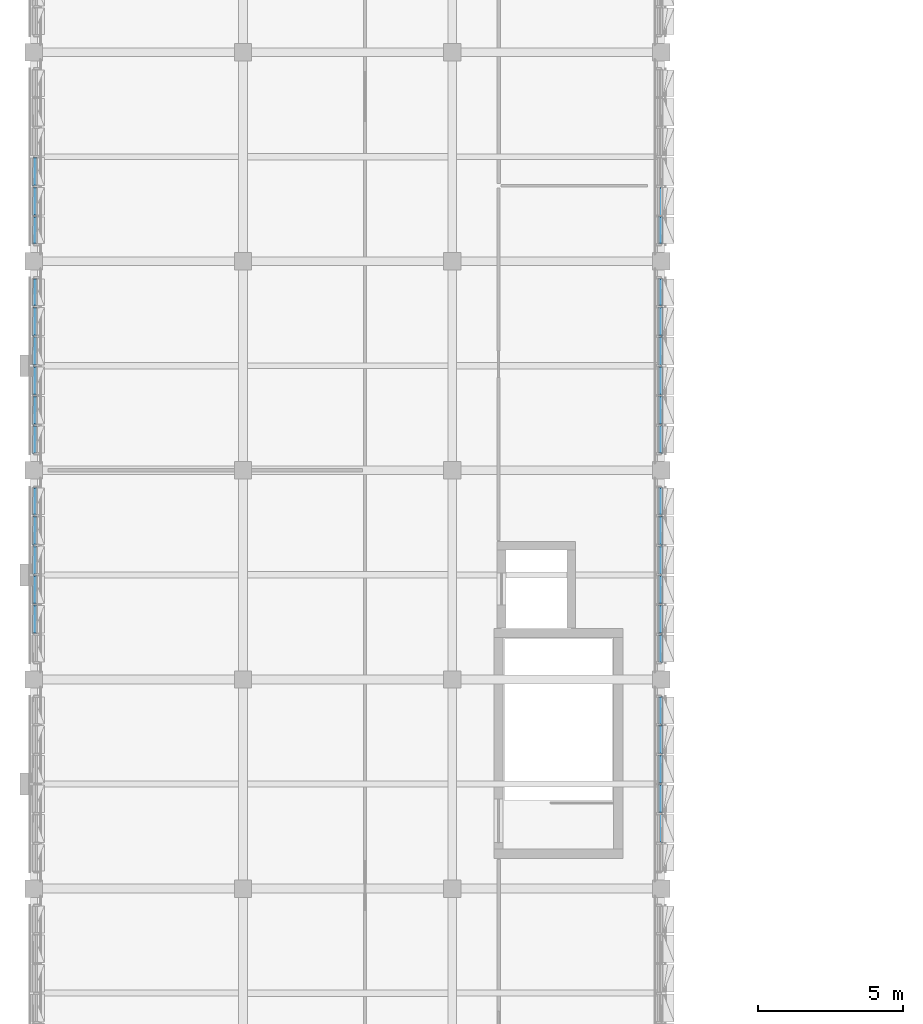
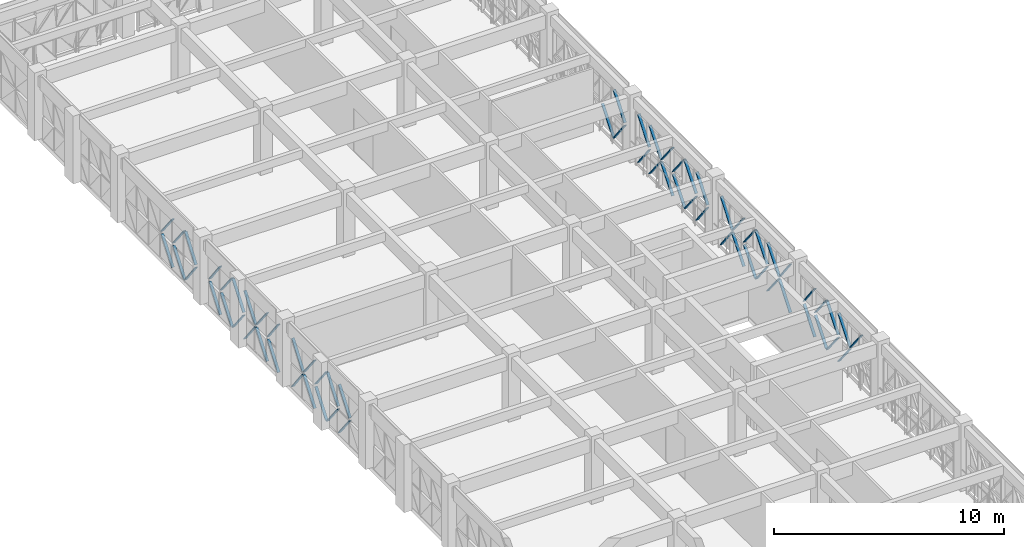
# One storey, part 49 of 74: 64 discrete accessories.
"""IFC4 building model written with IfcOpenShell, lengths in metres."""

import ifcopenshell
import ifcopenshell.guid

model = None  # the IFC model being written
_history = None  # IfcOwnerHistory: only IFC2X3 demands one
_inside = {}  # id of a spatial element -> (the spatial element, [elements in it])
_under = {}  # id of a project, library or spatial element -> (it, [spatial elements below it])
_declared = {}  # id of a project -> (the project, [libraries it declares])
_typed = {}  # id of a type object -> (the type object, [elements of that type])
_made_of = {}  # id of a material, layer set ... -> (it, [elements and type objects made of it])


def new_model(schema):
    """Start an empty IFC model of exactly this schema.

    Asked for "IFC4X3", IfcOpenShell would pick the latest addendum, in which some entities
    have other attributes; the version numbers below select the first issue.
    IFC2X3 requires an IfcOwnerHistory on every rooted entity: one is made here for all.
    """
    global model, _history
    if schema == "IFC4X3":
        model = ifcopenshell.file(schema_version=(4, 3, 0, 0))
    else:
        model = ifcopenshell.file(schema=schema)
    _inside.clear()
    _under.clear()
    _declared.clear()
    _typed.clear()
    _made_of.clear()
    _history = None
    if model.schema == "IFC2X3":
        org = make("IfcOrganization", Name="unknown")
        user = make(
            "IfcPersonAndOrganization",
            ThePerson=make("IfcPerson", FamilyName="unknown"),
            TheOrganization=org,
        )
        app = make(
            "IfcApplication",
            ApplicationDeveloper=org,
            Version="unknown",
            ApplicationFullName="unknown",
            ApplicationIdentifier="unknown",
        )
        _history = make(
            "IfcOwnerHistory",
            OwningUser=user,
            OwningApplication=app,
            ChangeAction="ADDED",
            CreationDate=0,
        )
    return model


def make(cls, **values):
    """One entity of the class cls with the attributes given. An attribute that is None is left unset."""
    return model.create_entity(
        cls, **{name: value for name, value in values.items() if value is not None}
    )


def rooted(cls, **values):
    """An entity with a GlobalId (a new one), such as an element, a storey or a relation."""
    return make(cls, GlobalId=ifcopenshell.guid.new(), OwnerHistory=_history, **values)


def si_unit(unit_type, name, prefix=None):
    """IfcSIUnit, for example si_unit("LENGTHUNIT", "METRE", prefix="MILLI")."""
    return make("IfcSIUnit", UnitType=unit_type, Prefix=prefix, Name=name)


def assignment(units):
    """IfcUnitAssignment: the units of a project."""
    return None if units is None else make("IfcUnitAssignment", Units=units)


def point(xyz):
    """IfcCartesianPoint."""
    return None if xyz is None else make("IfcCartesianPoint", Coordinates=xyz)


def direction(xyz):
    """IfcDirection."""
    return None if xyz is None else make("IfcDirection", DirectionRatios=xyz)


def frame(location, z_axis=None, x_axis=None):
    """IfcAxis2Placement3D, a coordinate frame: its origin and axes. An axis left out is left unset."""
    return make(
        "IfcAxis2Placement3D",
        Location=point(location),
        Axis=direction(z_axis),
        RefDirection=direction(x_axis),
    )


def frame_2d(location, x_axis=None):
    """IfcAxis2Placement2D, a coordinate frame in the plane: its origin and x axis."""
    return make(
        "IfcAxis2Placement2D", Location=point(location), RefDirection=direction(x_axis)
    )


def origin():
    """The frame at (0, 0, 0) with its axes left unset."""
    return frame((0.0, 0.0, 0.0))


def origin_2d():
    """The frame at (0, 0) in the plane with its x axis left unset."""
    return frame_2d((0.0, 0.0))


def place(relative_to, where):
    """IfcLocalPlacement: puts the frame where relative to a parent placement (None: the world)."""
    return make(
        "IfcLocalPlacement", PlacementRelTo=relative_to, RelativePlacement=where
    )


def context(
    kind, dimensions, precision=None, world=None, true_north=None, identifier=None
):
    """IfcGeometricRepresentationContext, for example the 3D "Model" context."""
    return make(
        "IfcGeometricRepresentationContext",
        ContextIdentifier=identifier,
        ContextType=kind,
        CoordinateSpaceDimension=dimensions,
        Precision=precision,
        WorldCoordinateSystem=world,
        TrueNorth=true_north,
    )


def subcontext(parent, identifier, kind, view, scale=None):
    """IfcGeometricRepresentationSubContext, for example "Body" below "Model"."""
    return make(
        "IfcGeometricRepresentationSubContext",
        ContextIdentifier=identifier,
        ContextType=kind,
        ParentContext=parent,
        TargetScale=scale,
        TargetView=view,
    )


def project(units=None, contexts=None):
    """IfcProject with its units and contexts."""
    return rooted(
        "IfcProject",
        Name="project",
        RepresentationContexts=contexts,
        UnitsInContext=assignment(units),
    )


def spatial(cls, under=None, at=None, **own):
    """A site, building, storey or space (cls), placed at a placement, below another one or the project."""
    s = rooted(cls, ObjectPlacement=at, **own)
    if under is not None:
        _under.setdefault(under.id(), (under, []))[1].append(s)
    return s


def profile(cls, at=None, kind="AREA", **sizes):
    """A parametric profile (cls). Its sizes go by their IFC names, for example OverallWidth=200.0."""
    return make(cls, ProfileType=kind, Position=at, **sizes)


def rectangle(**sizes):
    """IfcRectangleProfileDef."""
    return profile("IfcRectangleProfileDef", **sizes)


def extrude(swept, where, along, depth):
    """IfcExtrudedAreaSolid: the profile swept, set in the frame where, extruded along a direction by depth."""
    return make(
        "IfcExtrudedAreaSolid",
        SweptArea=swept,
        Position=where,
        ExtrudedDirection=direction(along),
        Depth=depth,
    )


def shape(context_of_items, identifier, shape_type, items):
    """IfcShapeRepresentation: the items that make up one representation, for example the "Body"."""
    return make(
        "IfcShapeRepresentation",
        ContextOfItems=context_of_items,
        RepresentationIdentifier=identifier,
        RepresentationType=shape_type,
        Items=items,
    )


def material(Name=None, Category=None):
    """IfcMaterial."""
    return make("IfcMaterial", Name=Name, Category=Category)


def made_of(thing, what):
    """Note that an element or type object is made of a material, layer set ...; save() writes the relation."""
    if what is not None:
        _made_of.setdefault(what.id(), (what, []))[1].append(thing)
    return thing


def type_object(cls, material=None, **own):
    """A type object (cls), such as IfcWallType, which elements share."""
    return made_of(rooted(cls, **own), material)


def element(
    cls,
    number,
    at=None,
    inside=None,
    cuts=None,
    type_object=None,
    material=None,
    context=None,
    identifier="Body",
    shape_type=None,
    held_by="IfcProductDefinitionShape",
    body=None,
    shapes=None,
    **own,
):
    """One element of the class cls, such as IfcWall. Its Tag is "e" and its number.

    at: its placement. inside: the storey or other place that contains it. cuts: it is an
    opening in that element (IfcRelVoidsElement). A single representation is given by context,
    identifier, shape_type and body (its items); several are given by shapes. held_by: the class
    of the entity that holds the representations. save() writes the other relations.
    """
    e = rooted(cls, Tag="e%d" % number, ObjectPlacement=at, **own)
    if body is not None:
        shapes = [shape(context, identifier, shape_type, body)]
    if shapes is not None:
        e.Representation = make(held_by, Representations=shapes)
    if inside is not None:
        _inside.setdefault(inside.id(), (inside, []))[1].append(e)
    if cuts is not None:
        rooted(
            "IfcRelVoidsElement", RelatingBuildingElement=cuts, RelatedOpeningElement=e
        )
    if type_object is not None:
        _typed.setdefault(type_object.id(), (type_object, []))[1].append(e)
    return made_of(e, material)


def aggregate(whole, parts):
    """IfcRelAggregates: a whole, such as a stair, and the parts it consists of."""
    return rooted("IfcRelAggregates", RelatingObject=whole, RelatedObjects=parts)


def save(model, path):
    """Write the relations noted so far, then the file.

    IfcRelAggregates (storeys below a building ...), IfcRelContainedInSpatialStructure (elements
    in a storey), IfcRelDefinesByType, IfcRelAssociatesMaterial and IfcRelDeclares: one each for
    every whole, place, type object, material and project.
    """
    for whole, parts in _under.values():
        aggregate(whole, parts)
    for where, things in _inside.values():
        rooted(
            "IfcRelContainedInSpatialStructure",
            RelatedElements=things,
            RelatingStructure=where,
        )
    for kind, things in _typed.values():
        rooted("IfcRelDefinesByType", RelatedObjects=things, RelatingType=kind)
    for what, things in _made_of.values():
        rooted("IfcRelAssociatesMaterial", RelatedObjects=things, RelatingMaterial=what)
    for by, libraries in _declared.values():
        rooted("IfcRelDeclares", RelatingContext=by, RelatedDefinitions=libraries)
    model.write(path)


model = new_model("IFC4")

# Units and contexts
model_context = context("Model", 3, precision=1e-05, world=origin(), true_north=direction((0.0, 1.0)))
body_context = subcontext(model_context, "Body", "Model", "MODEL_VIEW")
ifc_project = project(units=[si_unit("LENGTHUNIT", "METRE"), si_unit("AREAUNIT", "SQUARE_METRE"), si_unit("VOLUMEUNIT", "CUBIC_METRE"), si_unit("PLANEANGLEUNIT", "RADIAN"), si_unit("MASSUNIT", "GRAM", prefix="KILO")], contexts=[model_context])

# Site, building, storey
site_placement = place(None, origin())
site = spatial("IfcSite", under=ifc_project, at=site_placement, CompositionType="ELEMENT")
building_placement = place(site_placement, origin())
building = spatial("IfcBuilding", under=site, at=building_placement, Name="Alvorim Cloister Faculty of Sciences", CompositionType="ELEMENT")
storey_placement = place(building_placement, frame((0.0, 0.0, 15.75)))
storey = spatial("IfcBuildingStorey", under=building, at=storey_placement, Name="L04", CompositionType="ELEMENT", Elevation=15.75)

# Discrete accessories
ifc_material = material(Name="Aluminium Alloy 6063-T6", Category="aluminium")
discrete_accessory_type = type_object("IfcDiscreteAccessoryType", Name="ACC-DIAG-BAR", PredefinedType="BRACKET", material=ifc_material)
discrete_accessory_1_placement = place(storey_placement, frame((0.0224609375, 79.592529296875, 1.35498046875), z_axis=(0.006476523147, 0.617955086572, -0.786186724404), x_axis=(-0.999945083323, 0.010479997039, 0.0)))
element("IfcDiscreteAccessory", 1, at=discrete_accessory_1_placement, inside=storey, type_object=discrete_accessory_type, Name="Diagonal Cassette Glazing Bracket ACC-01857", PredefinedType="BRACKET", context=body_context, shape_type="SweptSolid", body=[
    extrude(rectangle(XDim=0.139892578125, YDim=0.044921875, at=origin_2d()), origin(), (0.0, 0.0, 1.0), 1.545654296875),
])
for number, where, z_axis, x_axis, name in (
    (2, (0.0224609375, 79.592529296875, 1.4951171875), (0.00647732753, 0.618031836495, 0.786126385072), (-0.999945083323, 0.010479997039, 0.0), "Diagonal Cassette Glazing Bracket ACC-01858"),
    (3, (0.0224609375, 80.612548828125, 1.35498046875), (0.006477155362, 0.61785742976, -0.786263469168), (-0.999945055239, 0.010482676365, 0.0), "Diagonal Cassette Glazing Bracket ACC-01859"),
):
    element("IfcDiscreteAccessory", number, at=place(storey_placement, frame(where, z_axis=z_axis, x_axis=x_axis)), inside=storey, type_object=discrete_accessory_type, Name=name, PredefinedType="BRACKET", context=body_context, shape_type="SweptSolid", body=[
        extrude(rectangle(XDim=0.139892578125, YDim=0.044921875, at=origin_2d()), origin(), (0.0, 0.0, 1.0), 1.54541015625),
    ])
discrete_accessory_2_placement = place(storey_placement, frame((0.0224609375, 80.612548828125, 1.4951171875), z_axis=(0.006477959981, 0.61793418254, 0.786203143012), x_axis=(-0.999945055239, 0.010482676365, 0.0)))
element("IfcDiscreteAccessory", 4, at=discrete_accessory_2_placement, inside=storey, type_object=discrete_accessory_type, Name="Diagonal Cassette Glazing Bracket ACC-01860", PredefinedType="BRACKET", context=body_context, shape_type="SweptSolid", body=[
    extrude(rectangle(XDim=0.139892578125, YDim=0.044921875, at=origin_2d()), origin(), (0.0, 0.0, 1.0), 1.545166015625),
])
discrete_accessory_3_placement = place(storey_placement, frame((0.0224609375, 81.632568359375, 0.139892578125), z_axis=(0.006477155362, 0.61785742976, 0.786263469168), x_axis=(-0.999945055239, 0.010482676365, 0.0)))
element("IfcDiscreteAccessory", 5, at=discrete_accessory_3_placement, inside=storey, type_object=discrete_accessory_type, Name="Diagonal Cassette Glazing Bracket ACC-01861", PredefinedType="BRACKET", context=body_context, shape_type="SweptSolid", body=[
    extrude(rectangle(XDim=0.139892578125, YDim=0.044921875, at=origin_2d()), origin(), (0.0, 0.0, 1.0), 1.54541015625),
])
discrete_accessory_4_placement = place(storey_placement, frame((0.0224609375, 81.632568359375, 2.7099609375), z_axis=(0.006477959981, 0.61793418254, -0.786203143012), x_axis=(-0.999945055239, 0.010482676365, 0.0)))
element("IfcDiscreteAccessory", 6, at=discrete_accessory_4_placement, inside=storey, type_object=discrete_accessory_type, Name="Diagonal Cassette Glazing Bracket ACC-01862", PredefinedType="BRACKET", context=body_context, shape_type="SweptSolid", body=[
    extrude(rectangle(XDim=0.139892578125, YDim=0.044921875, at=origin_2d()), origin(), (0.0, 0.0, 1.0), 1.545166015625),
])
discrete_accessory_5_placement = place(storey_placement, frame((0.0224609375, 82.652587890625, 0.139892578125), z_axis=(0.006477155362, 0.61785742976, 0.786263469168), x_axis=(-0.999945055239, 0.010482676365, 0.0)))
element("IfcDiscreteAccessory", 7, at=discrete_accessory_5_placement, inside=storey, type_object=discrete_accessory_type, Name="Diagonal Cassette Glazing Bracket ACC-01863", PredefinedType="BRACKET", context=body_context, shape_type="SweptSolid", body=[
    extrude(rectangle(XDim=0.139892578125, YDim=0.044921875, at=origin_2d()), origin(), (0.0, 0.0, 1.0), 1.54541015625),
])
discrete_accessory_6_placement = place(storey_placement, frame((0.0224609375, 82.652587890625, 2.7099609375), z_axis=(0.006477959981, 0.61793418254, -0.786203143012), x_axis=(-0.999945055239, 0.010482676365, 0.0)))
element("IfcDiscreteAccessory", 8, at=discrete_accessory_6_placement, inside=storey, type_object=discrete_accessory_type, Name="Diagonal Cassette Glazing Bracket ACC-01864", PredefinedType="BRACKET", context=body_context, shape_type="SweptSolid", body=[
    extrude(rectangle(XDim=0.139892578125, YDim=0.044921875, at=origin_2d()), origin(), (0.0, 0.0, 1.0), 1.545166015625),
])
discrete_accessory_7_placement = place(storey_placement, frame((0.0224609375, 83.672607421875, 1.35498046875), z_axis=(0.006561428426, 0.604611624251, -0.796493397008), x_axis=(-0.999941118963, 0.010851663811, 0.0)))
element("IfcDiscreteAccessory", 9, at=discrete_accessory_7_placement, inside=storey, type_object=discrete_accessory_type, Name="Diagonal Cassette Glazing Bracket ACC-01865", PredefinedType="BRACKET", context=body_context, shape_type="SweptSolid", body=[
    extrude(rectangle(XDim=0.139892578125, YDim=0.044921875, at=origin_2d()), origin(), (0.0, 0.0, 1.0), 1.525634765625),
])
discrete_accessory_8_placement = place(storey_placement, frame((0.0224609375, 83.672607421875, 1.4951171875), z_axis=(0.006562264866, 0.604688699088, 0.796434877359), x_axis=(-0.999941118963, 0.010851663811, 0.0)))
element("IfcDiscreteAccessory", 10, at=discrete_accessory_8_placement, inside=storey, type_object=discrete_accessory_type, Name="Diagonal Cassette Glazing Bracket ACC-01866", PredefinedType="BRACKET", context=body_context, shape_type="SweptSolid", body=[
    extrude(rectangle(XDim=0.139892578125, YDim=0.044921875, at=origin_2d()), origin(), (0.0, 0.0, 1.0), 1.525390625),
])
discrete_accessory_9_placement = place(storey_placement, frame((0.0224609375, 85.804931640625, 0.139892578125), z_axis=(0.006560793558, 0.604713142785, 0.796416330151), x_axis=(-0.999941150118, 0.010848792579, 0.0)))
element("IfcDiscreteAccessory", 11, at=discrete_accessory_9_placement, inside=storey, type_object=discrete_accessory_type, Name="Diagonal Cassette Glazing Bracket ACC-01868", PredefinedType="BRACKET", context=body_context, shape_type="SweptSolid", body=[
    extrude(rectangle(XDim=0.139892578125, YDim=0.044921875, at=origin_2d()), origin(), (0.0, 0.0, 1.0), 1.525634765625),
])
discrete_accessory_10_placement = place(storey_placement, frame((0.0224609375, 85.804931640625, 2.7099609375), z_axis=(0.006561629754, 0.604790215644, -0.796357796519), x_axis=(-0.999941150118, 0.010848792579, 0.0)))
element("IfcDiscreteAccessory", 12, at=discrete_accessory_10_placement, inside=storey, type_object=discrete_accessory_type, Name="Diagonal Cassette Glazing Bracket ACC-01869", PredefinedType="BRACKET", context=body_context, shape_type="SweptSolid", body=[
    extrude(rectangle(XDim=0.139892578125, YDim=0.044921875, at=origin_2d()), origin(), (0.0, 0.0, 1.0), 1.525390625),
])
discrete_accessory_11_placement = place(storey_placement, frame((0.0224609375, 86.79248046875, 0.139892578125), z_axis=(0.006476523147, 0.617955086572, 0.786186724404), x_axis=(-0.999945083323, 0.010479997039, 0.0)))
element("IfcDiscreteAccessory", 13, at=discrete_accessory_11_placement, inside=storey, type_object=discrete_accessory_type, Name="Diagonal Cassette Glazing Bracket ACC-01870", PredefinedType="BRACKET", context=body_context, shape_type="SweptSolid", body=[
    extrude(rectangle(XDim=0.139892578125, YDim=0.044921875, at=origin_2d()), origin(), (0.0, 0.0, 1.0), 1.545654296875),
])
discrete_accessory_12_placement = place(storey_placement, frame((0.0224609375, 86.79248046875, 2.7099609375), z_axis=(0.00647732753, 0.618031836495, -0.786126385072), x_axis=(-0.999945083323, 0.010479997039, 0.0)))
element("IfcDiscreteAccessory", 14, at=discrete_accessory_12_placement, inside=storey, type_object=discrete_accessory_type, Name="Diagonal Cassette Glazing Bracket ACC-01871", PredefinedType="BRACKET", context=body_context, shape_type="SweptSolid", body=[
    extrude(rectangle(XDim=0.139892578125, YDim=0.044921875, at=origin_2d()), origin(), (0.0, 0.0, 1.0), 1.54541015625),
])
discrete_accessory_13_placement = place(storey_placement, frame((0.0224609375, 87.8125, 1.35498046875), z_axis=(0.006476523147, 0.617955086572, -0.786186724404), x_axis=(-0.999945083323, 0.010479997039, 0.0)))
element("IfcDiscreteAccessory", 15, at=discrete_accessory_13_placement, inside=storey, type_object=discrete_accessory_type, Name="Diagonal Cassette Glazing Bracket ACC-01872", PredefinedType="BRACKET", context=body_context, shape_type="SweptSolid", body=[
    extrude(rectangle(XDim=0.139892578125, YDim=0.044921875, at=origin_2d()), origin(), (0.0, 0.0, 1.0), 1.545654296875),
])
discrete_accessory_14_placement = place(storey_placement, frame((0.0224609375, 87.8125, 1.4951171875), z_axis=(0.00647732753, 0.618031836495, 0.786126385072), x_axis=(-0.999945083323, 0.010479997039, 0.0)))
element("IfcDiscreteAccessory", 16, at=discrete_accessory_14_placement, inside=storey, type_object=discrete_accessory_type, Name="Diagonal Cassette Glazing Bracket ACC-01873", PredefinedType="BRACKET", context=body_context, shape_type="SweptSolid", body=[
    extrude(rectangle(XDim=0.139892578125, YDim=0.044921875, at=origin_2d()), origin(), (0.0, 0.0, 1.0), 1.54541015625),
])
discrete_accessory_15_placement = place(storey_placement, frame((0.0224609375, 88.83251953125, 1.35498046875), z_axis=(0.006476523147, 0.617955086572, -0.786186724404), x_axis=(-0.999945083323, 0.010479997039, 0.0)))
element("IfcDiscreteAccessory", 17, at=discrete_accessory_15_placement, inside=storey, type_object=discrete_accessory_type, Name="Diagonal Cassette Glazing Bracket ACC-01874", PredefinedType="BRACKET", context=body_context, shape_type="SweptSolid", body=[
    extrude(rectangle(XDim=0.139892578125, YDim=0.044921875, at=origin_2d()), origin(), (0.0, 0.0, 1.0), 1.545654296875),
])
discrete_accessory_16_placement = place(storey_placement, frame((0.0224609375, 88.83251953125, 1.4951171875), z_axis=(0.00647732753, 0.618031836495, 0.786126385072), x_axis=(-0.999945083323, 0.010479997039, 0.0)))
element("IfcDiscreteAccessory", 18, at=discrete_accessory_16_placement, inside=storey, type_object=discrete_accessory_type, Name="Diagonal Cassette Glazing Bracket ACC-01875", PredefinedType="BRACKET", context=body_context, shape_type="SweptSolid", body=[
    extrude(rectangle(XDim=0.139892578125, YDim=0.044921875, at=origin_2d()), origin(), (0.0, 0.0, 1.0), 1.54541015625),
])
discrete_accessory_17_placement = place(storey_placement, frame((0.0224609375, 89.8525390625, 0.139892578125), z_axis=(0.006476523147, 0.617955086572, 0.786186724404), x_axis=(-0.999945083323, 0.010479997039, 0.0)))
element("IfcDiscreteAccessory", 19, at=discrete_accessory_17_placement, inside=storey, type_object=discrete_accessory_type, Name="Diagonal Cassette Glazing Bracket ACC-01876", PredefinedType="BRACKET", context=body_context, shape_type="SweptSolid", body=[
    extrude(rectangle(XDim=0.139892578125, YDim=0.044921875, at=origin_2d()), origin(), (0.0, 0.0, 1.0), 1.545654296875),
])
discrete_accessory_18_placement = place(storey_placement, frame((0.0224609375, 89.8525390625, 2.7099609375), z_axis=(0.00647732753, 0.618031836495, -0.786126385072), x_axis=(-0.999945083323, 0.010479997039, 0.0)))
element("IfcDiscreteAccessory", 20, at=discrete_accessory_18_placement, inside=storey, type_object=discrete_accessory_type, Name="Diagonal Cassette Glazing Bracket ACC-01877", PredefinedType="BRACKET", context=body_context, shape_type="SweptSolid", body=[
    extrude(rectangle(XDim=0.139892578125, YDim=0.044921875, at=origin_2d()), origin(), (0.0, 0.0, 1.0), 1.54541015625),
])
discrete_accessory_19_placement = place(storey_placement, frame((0.0224609375, 90.87255859375, 0.139892578125), z_axis=(0.006561428426, 0.604611624251, 0.796493397008), x_axis=(-0.999941118963, 0.010851663811, 0.0)))
element("IfcDiscreteAccessory", 21, at=discrete_accessory_19_placement, inside=storey, type_object=discrete_accessory_type, Name="Diagonal Cassette Glazing Bracket ACC-01878", PredefinedType="BRACKET", context=body_context, shape_type="SweptSolid", body=[
    extrude(rectangle(XDim=0.139892578125, YDim=0.044921875, at=origin_2d()), origin(), (0.0, 0.0, 1.0), 1.525634765625),
])
discrete_accessory_20_placement = place(storey_placement, frame((0.0224609375, 90.87255859375, 2.7099609375), z_axis=(0.006562264866, 0.604688699088, -0.796434877359), x_axis=(-0.999941118963, 0.010851663811, 0.0)))
element("IfcDiscreteAccessory", 22, at=discrete_accessory_20_placement, inside=storey, type_object=discrete_accessory_type, Name="Diagonal Cassette Glazing Bracket ACC-01879", PredefinedType="BRACKET", context=body_context, shape_type="SweptSolid", body=[
    extrude(rectangle(XDim=0.139892578125, YDim=0.044921875, at=origin_2d()), origin(), (0.0, 0.0, 1.0), 1.525390625),
])
discrete_accessory_21_placement = place(storey_placement, frame((0.0224609375, 93.0048828125, 1.35498046875), z_axis=(0.006560793558, 0.604713142785, -0.796416330151), x_axis=(-0.999941150118, 0.010848792579, 0.0)))
element("IfcDiscreteAccessory", 23, at=discrete_accessory_21_placement, inside=storey, type_object=discrete_accessory_type, Name="Diagonal Cassette Glazing Bracket ACC-01881", PredefinedType="BRACKET", context=body_context, shape_type="SweptSolid", body=[
    extrude(rectangle(XDim=0.139892578125, YDim=0.044921875, at=origin_2d()), origin(), (0.0, 0.0, 1.0), 1.525634765625),
])
discrete_accessory_22_placement = place(storey_placement, frame((0.0224609375, 93.0048828125, 1.4951171875), z_axis=(0.006561629754, 0.604790215644, 0.796357796519), x_axis=(-0.999941150118, 0.010848792579, 0.0)))
element("IfcDiscreteAccessory", 24, at=discrete_accessory_22_placement, inside=storey, type_object=discrete_accessory_type, Name="Diagonal Cassette Glazing Bracket ACC-01882", PredefinedType="BRACKET", context=body_context, shape_type="SweptSolid", body=[
    extrude(rectangle(XDim=0.139892578125, YDim=0.044921875, at=origin_2d()), origin(), (0.0, 0.0, 1.0), 1.525390625),
])
discrete_accessory_23_placement = place(storey_placement, frame((0.0224609375, 93.992431640625, 0.139892578125), z_axis=(0.006476523147, 0.617955086572, 0.786186724404), x_axis=(-0.999945083323, 0.010479997039, 0.0)))
element("IfcDiscreteAccessory", 25, at=discrete_accessory_23_placement, inside=storey, type_object=discrete_accessory_type, Name="Diagonal Cassette Glazing Bracket ACC-01883", PredefinedType="BRACKET", context=body_context, shape_type="SweptSolid", body=[
    extrude(rectangle(XDim=0.139892578125, YDim=0.044921875, at=origin_2d()), origin(), (0.0, 0.0, 1.0), 1.545654296875),
])
discrete_accessory_24_placement = place(storey_placement, frame((0.0224609375, 93.992431640625, 2.7099609375), z_axis=(0.00647732753, 0.618031836495, -0.786126385072), x_axis=(-0.999945083323, 0.010479997039, 0.0)))
element("IfcDiscreteAccessory", 26, at=discrete_accessory_24_placement, inside=storey, type_object=discrete_accessory_type, Name="Diagonal Cassette Glazing Bracket ACC-01884", PredefinedType="BRACKET", context=body_context, shape_type="SweptSolid", body=[
    extrude(rectangle(XDim=0.139892578125, YDim=0.044921875, at=origin_2d()), origin(), (0.0, 0.0, 1.0), 1.54541015625),
])
discrete_accessory_25_placement = place(storey_placement, frame((0.0224609375, 95.012451171875, 0.139892578125), z_axis=(0.006476523147, 0.617955086572, 0.786186724404), x_axis=(-0.999945083323, 0.010479997039, 0.0)))
element("IfcDiscreteAccessory", 27, at=discrete_accessory_25_placement, inside=storey, type_object=discrete_accessory_type, Name="Diagonal Cassette Glazing Bracket ACC-01885", PredefinedType="BRACKET", context=body_context, shape_type="SweptSolid", body=[
    extrude(rectangle(XDim=0.139892578125, YDim=0.044921875, at=origin_2d()), origin(), (0.0, 0.0, 1.0), 1.545654296875),
])
discrete_accessory_26_placement = place(storey_placement, frame((0.0224609375, 95.012451171875, 2.7099609375), z_axis=(0.00647732753, 0.618031836495, -0.786126385072), x_axis=(-0.999945083323, 0.010479997039, 0.0)))
element("IfcDiscreteAccessory", 28, at=discrete_accessory_26_placement, inside=storey, type_object=discrete_accessory_type, Name="Diagonal Cassette Glazing Bracket ACC-01886", PredefinedType="BRACKET", context=body_context, shape_type="SweptSolid", body=[
    extrude(rectangle(XDim=0.139892578125, YDim=0.044921875, at=origin_2d()), origin(), (0.0, 0.0, 1.0), 1.54541015625),
])
discrete_accessory_27_placement = place(storey_placement, frame((21.577392578125, 93.0048828125, 1.35498046875), z_axis=(-0.006560793558, 0.604713142785, -0.796416330151), x_axis=(-0.999941150118, -0.010848792579, 0.0)))
element("IfcDiscreteAccessory", 29, at=discrete_accessory_27_placement, inside=storey, type_object=discrete_accessory_type, Name="Diagonal Cassette Glazing Bracket ACC-01973", PredefinedType="BRACKET", context=body_context, shape_type="SweptSolid", body=[
    extrude(rectangle(XDim=0.139892578125, YDim=0.044921875, at=origin_2d()), origin(), (0.0, 0.0, 1.0), 1.525634765625),
])
discrete_accessory_28_placement = place(storey_placement, frame((21.577392578125, 93.0048828125, 1.4951171875), z_axis=(-0.006561629754, 0.604790215644, 0.796357796519), x_axis=(-0.999941150118, -0.010848792579, 0.0)))
element("IfcDiscreteAccessory", 30, at=discrete_accessory_28_placement, inside=storey, type_object=discrete_accessory_type, Name="Diagonal Cassette Glazing Bracket ACC-01974", PredefinedType="BRACKET", context=body_context, shape_type="SweptSolid", body=[
    extrude(rectangle(XDim=0.139892578125, YDim=0.044921875, at=origin_2d()), origin(), (0.0, 0.0, 1.0), 1.525390625),
])
discrete_accessory_29_placement = place(storey_placement, frame((21.577392578125, 93.992431640625, 0.139892578125), z_axis=(-0.006476523147, 0.617955086572, 0.786186724404), x_axis=(-0.999945083323, -0.010479997039, 0.0)))
element("IfcDiscreteAccessory", 31, at=discrete_accessory_29_placement, inside=storey, type_object=discrete_accessory_type, Name="Diagonal Cassette Glazing Bracket ACC-01975", PredefinedType="BRACKET", context=body_context, shape_type="SweptSolid", body=[
    extrude(rectangle(XDim=0.139892578125, YDim=0.044921875, at=origin_2d()), origin(), (0.0, 0.0, 1.0), 1.545654296875),
])
discrete_accessory_30_placement = place(storey_placement, frame((21.577392578125, 85.804931640625, 1.35498046875), z_axis=(-0.006560793558, 0.604713142785, -0.796416330151), x_axis=(-0.999941150118, -0.010848792579, 0.0)))
element("IfcDiscreteAccessory", 32, at=discrete_accessory_30_placement, inside=storey, type_object=discrete_accessory_type, Name="Diagonal Cassette Glazing Bracket ACC-01986", PredefinedType="BRACKET", context=body_context, shape_type="SweptSolid", body=[
    extrude(rectangle(XDim=0.139892578125, YDim=0.044921875, at=origin_2d()), origin(), (0.0, 0.0, 1.0), 1.525634765625),
])
discrete_accessory_31_placement = place(storey_placement, frame((21.577392578125, 85.804931640625, 1.4951171875), z_axis=(-0.006561629754, 0.604790215644, 0.796357796519), x_axis=(-0.999941150118, -0.010848792579, 0.0)))
element("IfcDiscreteAccessory", 33, at=discrete_accessory_31_placement, inside=storey, type_object=discrete_accessory_type, Name="Diagonal Cassette Glazing Bracket ACC-01987", PredefinedType="BRACKET", context=body_context, shape_type="SweptSolid", body=[
    extrude(rectangle(XDim=0.139892578125, YDim=0.044921875, at=origin_2d()), origin(), (0.0, 0.0, 1.0), 1.525390625),
])
discrete_accessory_32_placement = place(storey_placement, frame((21.577392578125, 86.79248046875, 1.35498046875), z_axis=(-0.006476523147, 0.617955086572, -0.786186724404), x_axis=(-0.999945083323, -0.010479997039, 0.0)))
element("IfcDiscreteAccessory", 34, at=discrete_accessory_32_placement, inside=storey, type_object=discrete_accessory_type, Name="Diagonal Cassette Glazing Bracket ACC-01988", PredefinedType="BRACKET", context=body_context, shape_type="SweptSolid", body=[
    extrude(rectangle(XDim=0.139892578125, YDim=0.044921875, at=origin_2d()), origin(), (0.0, 0.0, 1.0), 1.545654296875),
])
discrete_accessory_33_placement = place(storey_placement, frame((21.577392578125, 86.79248046875, 1.4951171875), z_axis=(-0.00647732753, 0.618031836495, 0.786126385072), x_axis=(-0.999945083323, -0.010479997039, 0.0)))
element("IfcDiscreteAccessory", 35, at=discrete_accessory_33_placement, inside=storey, type_object=discrete_accessory_type, Name="Diagonal Cassette Glazing Bracket ACC-01989", PredefinedType="BRACKET", context=body_context, shape_type="SweptSolid", body=[
    extrude(rectangle(XDim=0.139892578125, YDim=0.044921875, at=origin_2d()), origin(), (0.0, 0.0, 1.0), 1.54541015625),
])
discrete_accessory_34_placement = place(storey_placement, frame((21.577392578125, 87.8125, 0.139892578125), z_axis=(-0.006476523147, 0.617955086572, 0.786186724404), x_axis=(-0.999945083323, -0.010479997039, 0.0)))
element("IfcDiscreteAccessory", 36, at=discrete_accessory_34_placement, inside=storey, type_object=discrete_accessory_type, Name="Diagonal Cassette Glazing Bracket ACC-01990", PredefinedType="BRACKET", context=body_context, shape_type="SweptSolid", body=[
    extrude(rectangle(XDim=0.139892578125, YDim=0.044921875, at=origin_2d()), origin(), (0.0, 0.0, 1.0), 1.545654296875),
])
discrete_accessory_35_placement = place(storey_placement, frame((21.577392578125, 87.8125, 2.7099609375), z_axis=(-0.00647732753, 0.618031836495, -0.786126385072), x_axis=(-0.999945083323, -0.010479997039, 0.0)))
element("IfcDiscreteAccessory", 37, at=discrete_accessory_35_placement, inside=storey, type_object=discrete_accessory_type, Name="Diagonal Cassette Glazing Bracket ACC-01991", PredefinedType="BRACKET", context=body_context, shape_type="SweptSolid", body=[
    extrude(rectangle(XDim=0.139892578125, YDim=0.044921875, at=origin_2d()), origin(), (0.0, 0.0, 1.0), 1.54541015625),
])
discrete_accessory_36_placement = place(storey_placement, frame((21.577392578125, 88.83251953125, 0.139892578125), z_axis=(-0.006476523147, 0.617955086572, 0.786186724404), x_axis=(-0.999945083323, -0.010479997039, 0.0)))
element("IfcDiscreteAccessory", 38, at=discrete_accessory_36_placement, inside=storey, type_object=discrete_accessory_type, Name="Diagonal Cassette Glazing Bracket ACC-01992", PredefinedType="BRACKET", context=body_context, shape_type="SweptSolid", body=[
    extrude(rectangle(XDim=0.139892578125, YDim=0.044921875, at=origin_2d()), origin(), (0.0, 0.0, 1.0), 1.545654296875),
])
discrete_accessory_37_placement = place(storey_placement, frame((21.577392578125, 88.83251953125, 2.7099609375), z_axis=(-0.00647732753, 0.618031836495, -0.786126385072), x_axis=(-0.999945083323, -0.010479997039, 0.0)))
element("IfcDiscreteAccessory", 39, at=discrete_accessory_37_placement, inside=storey, type_object=discrete_accessory_type, Name="Diagonal Cassette Glazing Bracket ACC-01993", PredefinedType="BRACKET", context=body_context, shape_type="SweptSolid", body=[
    extrude(rectangle(XDim=0.139892578125, YDim=0.044921875, at=origin_2d()), origin(), (0.0, 0.0, 1.0), 1.54541015625),
])
discrete_accessory_38_placement = place(storey_placement, frame((21.577392578125, 89.8525390625, 1.35498046875), z_axis=(-0.006476523147, 0.617955086572, -0.786186724404), x_axis=(-0.999945083323, -0.010479997039, 0.0)))
element("IfcDiscreteAccessory", 40, at=discrete_accessory_38_placement, inside=storey, type_object=discrete_accessory_type, Name="Diagonal Cassette Glazing Bracket ACC-01994", PredefinedType="BRACKET", context=body_context, shape_type="SweptSolid", body=[
    extrude(rectangle(XDim=0.139892578125, YDim=0.044921875, at=origin_2d()), origin(), (0.0, 0.0, 1.0), 1.545654296875),
])
discrete_accessory_39_placement = place(storey_placement, frame((21.577392578125, 89.8525390625, 1.4951171875), z_axis=(-0.00647732753, 0.618031836495, 0.786126385072), x_axis=(-0.999945083323, -0.010479997039, 0.0)))
element("IfcDiscreteAccessory", 41, at=discrete_accessory_39_placement, inside=storey, type_object=discrete_accessory_type, Name="Diagonal Cassette Glazing Bracket ACC-01995", PredefinedType="BRACKET", context=body_context, shape_type="SweptSolid", body=[
    extrude(rectangle(XDim=0.139892578125, YDim=0.044921875, at=origin_2d()), origin(), (0.0, 0.0, 1.0), 1.54541015625),
])
discrete_accessory_40_placement = place(storey_placement, frame((21.577392578125, 90.87255859375, 1.35498046875), z_axis=(-0.006561428426, 0.604611624251, -0.796493397008), x_axis=(-0.999941118963, -0.010851663811, 0.0)))
element("IfcDiscreteAccessory", 42, at=discrete_accessory_40_placement, inside=storey, type_object=discrete_accessory_type, Name="Diagonal Cassette Glazing Bracket ACC-01996", PredefinedType="BRACKET", context=body_context, shape_type="SweptSolid", body=[
    extrude(rectangle(XDim=0.139892578125, YDim=0.044921875, at=origin_2d()), origin(), (0.0, 0.0, 1.0), 1.525634765625),
])
discrete_accessory_41_placement = place(storey_placement, frame((21.577392578125, 90.87255859375, 1.4951171875), z_axis=(-0.006562264866, 0.604688699088, 0.796434877359), x_axis=(-0.999941118963, -0.010851663811, 0.0)))
element("IfcDiscreteAccessory", 43, at=discrete_accessory_41_placement, inside=storey, type_object=discrete_accessory_type, Name="Diagonal Cassette Glazing Bracket ACC-01997", PredefinedType="BRACKET", context=body_context, shape_type="SweptSolid", body=[
    extrude(rectangle(XDim=0.139892578125, YDim=0.044921875, at=origin_2d()), origin(), (0.0, 0.0, 1.0), 1.525390625),
])
discrete_accessory_42_placement = place(storey_placement, frame((21.577392578125, 78.60498046875, 0.139892578125), z_axis=(-0.006560793558, 0.604713142785, 0.796416330151), x_axis=(-0.999941150118, -0.010848792579, 0.0)))
element("IfcDiscreteAccessory", 44, at=discrete_accessory_42_placement, inside=storey, type_object=discrete_accessory_type, Name="Diagonal Cassette Glazing Bracket ACC-01999", PredefinedType="BRACKET", context=body_context, shape_type="SweptSolid", body=[
    extrude(rectangle(XDim=0.139892578125, YDim=0.044921875, at=origin_2d()), origin(), (0.0, 0.0, 1.0), 1.525634765625),
])
discrete_accessory_43_placement = place(storey_placement, frame((21.577392578125, 78.60498046875, 2.7099609375), z_axis=(-0.006561629754, 0.604790215644, -0.796357796519), x_axis=(-0.999941150118, -0.010848792579, 0.0)))
element("IfcDiscreteAccessory", 45, at=discrete_accessory_43_placement, inside=storey, type_object=discrete_accessory_type, Name="Diagonal Cassette Glazing Bracket ACC-02000", PredefinedType="BRACKET", context=body_context, shape_type="SweptSolid", body=[
    extrude(rectangle(XDim=0.139892578125, YDim=0.044921875, at=origin_2d()), origin(), (0.0, 0.0, 1.0), 1.525390625),
])
discrete_accessory_44_placement = place(storey_placement, frame((21.577392578125, 79.592529296875, 1.35498046875), z_axis=(-0.006476523147, 0.617955086572, -0.786186724404), x_axis=(-0.999945083323, -0.010479997039, 0.0)))
element("IfcDiscreteAccessory", 46, at=discrete_accessory_44_placement, inside=storey, type_object=discrete_accessory_type, Name="Diagonal Cassette Glazing Bracket ACC-02001", PredefinedType="BRACKET", context=body_context, shape_type="SweptSolid", body=[
    extrude(rectangle(XDim=0.139892578125, YDim=0.044921875, at=origin_2d()), origin(), (0.0, 0.0, 1.0), 1.545654296875),
])
for number, where, z_axis, x_axis, name in (
    (47, (21.577392578125, 79.592529296875, 1.4951171875), (-0.00647732753, 0.618031836495, 0.786126385072), (-0.999945083323, -0.010479997039, 0.0), "Diagonal Cassette Glazing Bracket ACC-02002"),
    (48, (21.577392578125, 80.612548828125, 1.35498046875), (-0.006477155362, 0.61785742976, -0.786263469168), (-0.999945055239, -0.010482676365, 0.0), "Diagonal Cassette Glazing Bracket ACC-02003"),
):
    element("IfcDiscreteAccessory", number, at=place(storey_placement, frame(where, z_axis=z_axis, x_axis=x_axis)), inside=storey, type_object=discrete_accessory_type, Name=name, PredefinedType="BRACKET", context=body_context, shape_type="SweptSolid", body=[
        extrude(rectangle(XDim=0.139892578125, YDim=0.044921875, at=origin_2d()), origin(), (0.0, 0.0, 1.0), 1.54541015625),
    ])
discrete_accessory_45_placement = place(storey_placement, frame((21.577392578125, 80.612548828125, 1.4951171875), z_axis=(-0.006477959981, 0.61793418254, 0.786203143012), x_axis=(-0.999945055239, -0.010482676365, 0.0)))
element("IfcDiscreteAccessory", 49, at=discrete_accessory_45_placement, inside=storey, type_object=discrete_accessory_type, Name="Diagonal Cassette Glazing Bracket ACC-02004", PredefinedType="BRACKET", context=body_context, shape_type="SweptSolid", body=[
    extrude(rectangle(XDim=0.139892578125, YDim=0.044921875, at=origin_2d()), origin(), (0.0, 0.0, 1.0), 1.545166015625),
])
discrete_accessory_46_placement = place(storey_placement, frame((21.577392578125, 81.632568359375, 0.139892578125), z_axis=(-0.006477155362, 0.61785742976, 0.786263469168), x_axis=(-0.999945055239, -0.010482676365, 0.0)))
element("IfcDiscreteAccessory", 50, at=discrete_accessory_46_placement, inside=storey, type_object=discrete_accessory_type, Name="Diagonal Cassette Glazing Bracket ACC-02005", PredefinedType="BRACKET", context=body_context, shape_type="SweptSolid", body=[
    extrude(rectangle(XDim=0.139892578125, YDim=0.044921875, at=origin_2d()), origin(), (0.0, 0.0, 1.0), 1.54541015625),
])
discrete_accessory_47_placement = place(storey_placement, frame((21.577392578125, 81.632568359375, 2.7099609375), z_axis=(-0.006477959981, 0.61793418254, -0.786203143012), x_axis=(-0.999945055239, -0.010482676365, 0.0)))
element("IfcDiscreteAccessory", 51, at=discrete_accessory_47_placement, inside=storey, type_object=discrete_accessory_type, Name="Diagonal Cassette Glazing Bracket ACC-02006", PredefinedType="BRACKET", context=body_context, shape_type="SweptSolid", body=[
    extrude(rectangle(XDim=0.139892578125, YDim=0.044921875, at=origin_2d()), origin(), (0.0, 0.0, 1.0), 1.545166015625),
])
discrete_accessory_48_placement = place(storey_placement, frame((21.577392578125, 82.652587890625, 0.139892578125), z_axis=(-0.006477155362, 0.61785742976, 0.786263469168), x_axis=(-0.999945055239, -0.010482676365, 0.0)))
element("IfcDiscreteAccessory", 52, at=discrete_accessory_48_placement, inside=storey, type_object=discrete_accessory_type, Name="Diagonal Cassette Glazing Bracket ACC-02007", PredefinedType="BRACKET", context=body_context, shape_type="SweptSolid", body=[
    extrude(rectangle(XDim=0.139892578125, YDim=0.044921875, at=origin_2d()), origin(), (0.0, 0.0, 1.0), 1.54541015625),
])
discrete_accessory_49_placement = place(storey_placement, frame((21.577392578125, 82.652587890625, 2.7099609375), z_axis=(-0.006477959981, 0.61793418254, -0.786203143012), x_axis=(-0.999945055239, -0.010482676365, 0.0)))
element("IfcDiscreteAccessory", 53, at=discrete_accessory_49_placement, inside=storey, type_object=discrete_accessory_type, Name="Diagonal Cassette Glazing Bracket ACC-02008", PredefinedType="BRACKET", context=body_context, shape_type="SweptSolid", body=[
    extrude(rectangle(XDim=0.139892578125, YDim=0.044921875, at=origin_2d()), origin(), (0.0, 0.0, 1.0), 1.545166015625),
])
discrete_accessory_50_placement = place(storey_placement, frame((21.577392578125, 83.672607421875, 1.35498046875), z_axis=(-0.006561428426, 0.604611624251, -0.796493397008), x_axis=(-0.999941118963, -0.010851663811, 0.0)))
element("IfcDiscreteAccessory", 54, at=discrete_accessory_50_placement, inside=storey, type_object=discrete_accessory_type, Name="Diagonal Cassette Glazing Bracket ACC-02009", PredefinedType="BRACKET", context=body_context, shape_type="SweptSolid", body=[
    extrude(rectangle(XDim=0.139892578125, YDim=0.044921875, at=origin_2d()), origin(), (0.0, 0.0, 1.0), 1.525634765625),
])
discrete_accessory_51_placement = place(storey_placement, frame((21.577392578125, 83.672607421875, 1.4951171875), z_axis=(-0.006562264866, 0.604688699088, 0.796434877359), x_axis=(-0.999941118963, -0.010851663811, 0.0)))
element("IfcDiscreteAccessory", 55, at=discrete_accessory_51_placement, inside=storey, type_object=discrete_accessory_type, Name="Diagonal Cassette Glazing Bracket ACC-02010", PredefinedType="BRACKET", context=body_context, shape_type="SweptSolid", body=[
    extrude(rectangle(XDim=0.139892578125, YDim=0.044921875, at=origin_2d()), origin(), (0.0, 0.0, 1.0), 1.525390625),
])
discrete_accessory_52_placement = place(storey_placement, frame((21.577392578125, 72.392578125, 2.7099609375), z_axis=(-0.006477959981, 0.61793418254, -0.786203143012), x_axis=(-0.999945055239, -0.010482676365, 0.0)))
element("IfcDiscreteAccessory", 56, at=discrete_accessory_52_placement, inside=storey, type_object=discrete_accessory_type, Name="Diagonal Cassette Glazing Bracket ACC-02015", PredefinedType="BRACKET", context=body_context, shape_type="SweptSolid", body=[
    extrude(rectangle(XDim=0.139892578125, YDim=0.044921875, at=origin_2d()), origin(), (0.0, 0.0, 1.0), 1.545166015625),
])
discrete_accessory_53_placement = place(storey_placement, frame((21.577392578125, 73.41259765625, 1.35498046875), z_axis=(-0.006477155362, 0.61785742976, -0.786263469168), x_axis=(-0.999945055239, -0.010482676365, 0.0)))
element("IfcDiscreteAccessory", 57, at=discrete_accessory_53_placement, inside=storey, type_object=discrete_accessory_type, Name="Diagonal Cassette Glazing Bracket ACC-02016", PredefinedType="BRACKET", context=body_context, shape_type="SweptSolid", body=[
    extrude(rectangle(XDim=0.139892578125, YDim=0.044921875, at=origin_2d()), origin(), (0.0, 0.0, 1.0), 1.54541015625),
])
discrete_accessory_54_placement = place(storey_placement, frame((21.577392578125, 73.41259765625, 1.4951171875), z_axis=(-0.006477959981, 0.61793418254, 0.786203143012), x_axis=(-0.999945055239, -0.010482676365, 0.0)))
element("IfcDiscreteAccessory", 58, at=discrete_accessory_54_placement, inside=storey, type_object=discrete_accessory_type, Name="Diagonal Cassette Glazing Bracket ACC-02017", PredefinedType="BRACKET", context=body_context, shape_type="SweptSolid", body=[
    extrude(rectangle(XDim=0.139892578125, YDim=0.044921875, at=origin_2d()), origin(), (0.0, 0.0, 1.0), 1.545166015625),
])
discrete_accessory_55_placement = place(storey_placement, frame((21.577392578125, 74.4326171875, 1.35498046875), z_axis=(-0.006477155362, 0.61785742976, -0.786263469168), x_axis=(-0.999945055239, -0.010482676365, 0.0)))
element("IfcDiscreteAccessory", 59, at=discrete_accessory_55_placement, inside=storey, type_object=discrete_accessory_type, Name="Diagonal Cassette Glazing Bracket ACC-02018", PredefinedType="BRACKET", context=body_context, shape_type="SweptSolid", body=[
    extrude(rectangle(XDim=0.139892578125, YDim=0.044921875, at=origin_2d()), origin(), (0.0, 0.0, 1.0), 1.54541015625),
])
discrete_accessory_56_placement = place(storey_placement, frame((21.577392578125, 74.4326171875, 1.4951171875), z_axis=(-0.006477959981, 0.61793418254, 0.786203143012), x_axis=(-0.999945055239, -0.010482676365, 0.0)))
element("IfcDiscreteAccessory", 60, at=discrete_accessory_56_placement, inside=storey, type_object=discrete_accessory_type, Name="Diagonal Cassette Glazing Bracket ACC-02019", PredefinedType="BRACKET", context=body_context, shape_type="SweptSolid", body=[
    extrude(rectangle(XDim=0.139892578125, YDim=0.044921875, at=origin_2d()), origin(), (0.0, 0.0, 1.0), 1.545166015625),
])
discrete_accessory_57_placement = place(storey_placement, frame((21.577392578125, 75.452392578125, 0.139892578125), z_axis=(-0.006476523147, 0.617955086572, 0.786186724404), x_axis=(-0.999945083323, -0.010479997039, 0.0)))
element("IfcDiscreteAccessory", 61, at=discrete_accessory_57_placement, inside=storey, type_object=discrete_accessory_type, Name="Diagonal Cassette Glazing Bracket ACC-02020", PredefinedType="BRACKET", context=body_context, shape_type="SweptSolid", body=[
    extrude(rectangle(XDim=0.139892578125, YDim=0.044921875, at=origin_2d()), origin(), (0.0, 0.0, 1.0), 1.545654296875),
])
discrete_accessory_58_placement = place(storey_placement, frame((21.577392578125, 75.452392578125, 2.7099609375), z_axis=(-0.00647732753, 0.618031836495, -0.786126385072), x_axis=(-0.999945083323, -0.010479997039, 0.0)))
element("IfcDiscreteAccessory", 62, at=discrete_accessory_58_placement, inside=storey, type_object=discrete_accessory_type, Name="Diagonal Cassette Glazing Bracket ACC-02021", PredefinedType="BRACKET", context=body_context, shape_type="SweptSolid", body=[
    extrude(rectangle(XDim=0.139892578125, YDim=0.044921875, at=origin_2d()), origin(), (0.0, 0.0, 1.0), 1.54541015625),
])
discrete_accessory_59_placement = place(storey_placement, frame((21.577392578125, 76.472412109375, 0.139892578125), z_axis=(-0.006560793558, 0.604713142785, 0.796416330151), x_axis=(-0.999941150118, -0.010848792579, 0.0)))
element("IfcDiscreteAccessory", 63, at=discrete_accessory_59_placement, inside=storey, type_object=discrete_accessory_type, Name="Diagonal Cassette Glazing Bracket ACC-02022", PredefinedType="BRACKET", context=body_context, shape_type="SweptSolid", body=[
    extrude(rectangle(XDim=0.139892578125, YDim=0.044921875, at=origin_2d()), origin(), (0.0, 0.0, 1.0), 1.525634765625),
])
discrete_accessory_60_placement = place(storey_placement, frame((21.577392578125, 76.472412109375, 2.7099609375), z_axis=(-0.006561629754, 0.604790215644, -0.796357796519), x_axis=(-0.999941150118, -0.010848792579, 0.0)))
element("IfcDiscreteAccessory", 64, at=discrete_accessory_60_placement, inside=storey, type_object=discrete_accessory_type, Name="Diagonal Cassette Glazing Bracket ACC-02023", PredefinedType="BRACKET", context=body_context, shape_type="SweptSolid", body=[
    extrude(rectangle(XDim=0.139892578125, YDim=0.044921875, at=origin_2d()), origin(), (0.0, 0.0, 1.0), 1.525390625),
])

save(model, "model.ifc")
